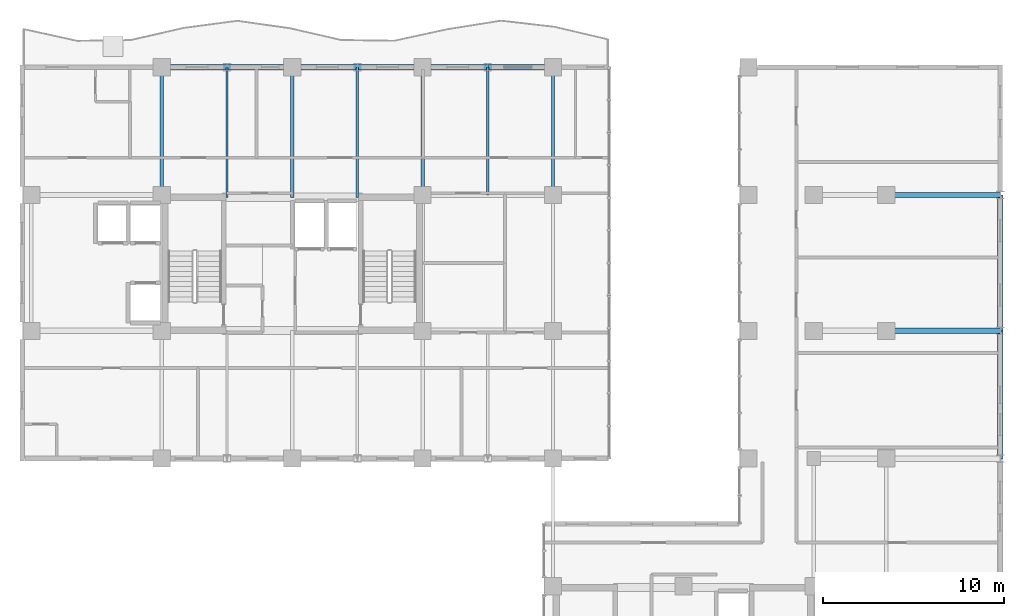
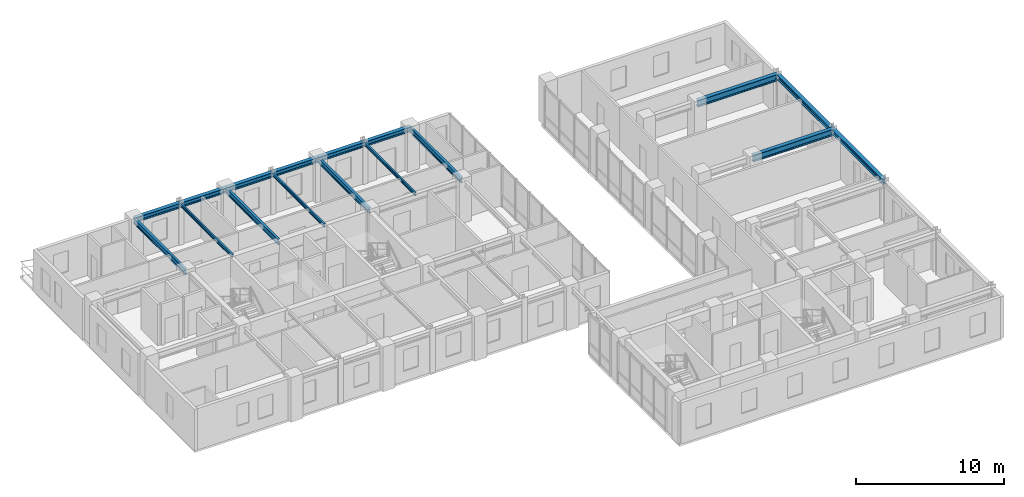
# One storey, part 13 of 24: 17 beams.
"""IFC4 building model written with IfcOpenShell, lengths in metres."""

from ifc_helpers import new_model, si_unit, direction, frame, origin, origin_2d, place, context, subcontext, project, spatial, i_section, extrude, source, transform, mapped, material, material_profile, profile_set, type_object, element, save


model = new_model("IFC4")

# Units and contexts
model_context = context("Model", 3, precision=1e-05, world=origin(), true_north=direction((0.0, 1.0)))
body_context = subcontext(model_context, "Body", "Model", "MODEL_VIEW")
ifc_project = project(units=[si_unit("LENGTHUNIT", "METRE"), si_unit("AREAUNIT", "SQUARE_METRE"), si_unit("VOLUMEUNIT", "CUBIC_METRE"), si_unit("PLANEANGLEUNIT", "RADIAN"), si_unit("MASSUNIT", "GRAM", prefix="KILO")], contexts=[model_context])

# Site, building, storey
site_placement = place(None, origin())
site = spatial("IfcSite", under=ifc_project, at=site_placement, CompositionType="ELEMENT")
building_placement = place(site_placement, origin())
building = spatial("IfcBuilding", under=site, at=building_placement, Name="Kaliganga Portal Commons", CompositionType="ELEMENT")
storey_placement = place(building_placement, frame((0.0, 0.0, 238.800048828125)))
storey = spatial("IfcBuildingStorey", under=building, at=storey_placement, Name="L61", CompositionType="ELEMENT", Elevation=238.800048828125)

# Beams
ifc_material = material(Name="Structural steel S355J2", Category="steel")
ifc_material_profile_1 = material_profile(ifc_material, i_section(OverallWidth=0.18994140625, OverallDepth=0.449951171875, WebThickness=0.009521484375, FlangeThickness=0.0146484375, FilletRadius=0.02099609375, at=origin_2d()), Name="IPE 450")
ifc_profile_set_1 = profile_set([ifc_material_profile_1], Name="Structural steel S355J2 wide-flange")
beam_type_1 = type_object("IfcBeamType", Name="BM-FLR-450", PredefinedType="BEAM", material=ifc_profile_set_1)
shared_shape_1 = source(origin(), body_context, "Body", "SweptSolid", [
    extrude(i_section(OverallWidth=0.18994140625, OverallDepth=0.449951171875, WebThickness=0.009521484375, FlangeThickness=0.0146484375, FilletRadius=0.02099609375, at=origin_2d()), origin(), (0.0, 0.0, 1.0), 7.050048828125),
])
for number, where, z_axis, x_axis, name in (
    (1, (14.39990234375, 36.14990234375, 3.21484375), (0.0, 1.0, 0.0), (-1.0, 0.0, 0.0), "BM G L61 AN144"),
    (2, (28.800048828125, 36.14990234375, 3.21484375), (0.0, 1.0, 0.0), (-1.0, 0.0, 0.0), "BM G L61 AN288"),
    (3, (36.0, 36.14990234375, 3.21484375), (0.0, 1.0, 0.0), (-1.0, 0.0, 0.0), "BM G L61 AN360"),
):
    element("IfcBeam", number, at=place(storey_placement, frame(where, z_axis=z_axis, x_axis=x_axis)), inside=storey, type_object=beam_type_1, Name=name, PredefinedType="BEAM", context=body_context, shape_type="MappedRepresentation", body=[
        mapped(shared_shape_1, transform((0.0, 0.0, 0.0), x_axis=(1.0, 0.0, 0.0), y_axis=(0.0, 1.0, 0.0), z_axis=(0.0, 0.0, 1.0), scale=1.0)),
    ])
ifc_material_profile_2 = material_profile(ifc_material, i_section(OverallWidth=0.300048828125, OverallDepth=0.39990234375, WebThickness=0.013427734375, FlangeThickness=0.02392578125, FilletRadius=0.027099609375, at=origin_2d()), Name="HE 400 B")
ifc_profile_set_2 = profile_set([ifc_material_profile_2], Name="Structural steel S355J2 wide-flange")
beam_type_2 = type_object("IfcBeamType", Name="BM-SPAND-400", PredefinedType="SPANDREL", material=ifc_profile_set_2)
shared_shape_2 = source(origin(), body_context, "Body", "SweptSolid", [
    extrude(i_section(OverallWidth=0.300048828125, OverallDepth=0.39990234375, WebThickness=0.013427734375, FlangeThickness=0.02392578125, FilletRadius=0.027099609375, at=origin_2d()), origin(), (0.0, 0.0, 1.0), 3.60009765625),
])
for number, where, z_axis, x_axis, name in (
    (4, (14.39990234375, 43.199951171875, 3.239990234375), (1.0, 0.0, 0.0), (0.0, 1.0, 0.0), "BM SP L61 AN 1"),
    (5, (18.0, 43.199951171875, 3.239990234375), (1.0, 0.0, 0.0), (0.0, 1.0, 0.0), "BM SP L61 AN 2"),
    (6, (25.199951171875, 43.199951171875, 3.239990234375), (1.0, 0.0, 0.0), (0.0, 1.0, 0.0), "BM SP L61 AN 4"),
    (7, (32.39990234375, 43.199951171875, 3.239990234375), (1.0, 0.0, 0.0), (0.0, 1.0, 0.0), "BM SP L61 AN 6"),
):
    element("IfcBeam", number, at=place(storey_placement, frame(where, z_axis=z_axis, x_axis=x_axis)), inside=storey, type_object=beam_type_2, Name=name, PredefinedType="SPANDREL", context=body_context, shape_type="MappedRepresentation", body=[
        mapped(shared_shape_2, transform((0.0, 0.0, 0.0), x_axis=(1.0, 0.0, 0.0), y_axis=(0.0, 1.0, 0.0), z_axis=(0.0, 0.0, 1.0), scale=1.0)),
    ])
shared_shape_3 = source(origin(), body_context, "Body", "SweptSolid", [
    extrude(i_section(OverallWidth=0.300048828125, OverallDepth=0.39990234375, WebThickness=0.013427734375, FlangeThickness=0.02392578125, FilletRadius=0.027099609375, at=origin_2d()), origin(), (0.0, 0.0, 1.0), 3.599853515625),
])
for number, where, z_axis, x_axis, name in (
    (8, (21.60009765625, 43.199951171875, 3.239990234375), (1.0, 0.0, 0.0), (0.0, 1.0, 0.0), "BM SP L61 AN 3"),
    (9, (28.800048828125, 43.199951171875, 3.239990234375), (1.0, 0.0, 0.0), (0.0, 1.0, 0.0), "BM SP L61 AN 5"),
):
    element("IfcBeam", number, at=place(storey_placement, frame(where, z_axis=z_axis, x_axis=x_axis)), inside=storey, type_object=beam_type_2, Name=name, PredefinedType="SPANDREL", context=body_context, shape_type="MappedRepresentation", body=[
        mapped(shared_shape_3, transform((0.0, 0.0, 0.0), x_axis=(1.0, 0.0, 0.0), y_axis=(0.0, 1.0, 0.0), z_axis=(0.0, 0.0, 1.0), scale=1.0)),
    ])
shared_shape_4 = source(origin(), body_context, "Body", "SweptSolid", [
    extrude(i_section(OverallWidth=0.18994140625, OverallDepth=0.449951171875, WebThickness=0.009521484375, FlangeThickness=0.0146484375, FilletRadius=0.02099609375, at=origin_2d()), origin(), (0.0, 0.0, 1.0), 7.175048828125),
])
beam_1_placement = place(storey_placement, frame((21.60009765625, 36.02490234375, 3.21484375), z_axis=(0.0, 1.0, 0.0), x_axis=(-1.0, 0.0, 0.0)))
element("IfcBeam", 10, at=beam_1_placement, inside=storey, type_object=beam_type_1, Name="BM G L61 AN216", PredefinedType="BEAM", context=body_context, shape_type="MappedRepresentation", body=[
    mapped(shared_shape_4, transform((0.0, 0.0, 0.0), x_axis=(1.0, 0.0, 0.0), y_axis=(0.0, 1.0, 0.0), z_axis=(0.0, 0.0, 1.0), scale=1.0)),
])
ifc_material_profile_3 = material_profile(ifc_material, i_section(OverallWidth=0.300048828125, OverallDepth=0.550048828125, WebThickness=0.014892578125, FlangeThickness=0.029052734375, FilletRadius=0.027099609375, at=origin_2d()), Name="HE 550 B")
ifc_profile_set_3 = profile_set([ifc_material_profile_3], Name="Structural steel S355J2 wide-flange")
beam_type_3 = type_object("IfcBeamType", Name="BM-GIRD-550", PredefinedType="USERDEFINED", material=ifc_profile_set_3)
shared_shape_5 = source(origin(), body_context, "Body", "SweptSolid", [
    extrude(i_section(OverallWidth=0.300048828125, OverallDepth=0.550048828125, WebThickness=0.014892578125, FlangeThickness=0.029052734375, FilletRadius=0.027099609375, at=origin_2d()), origin(), (0.0, 0.0, 1.0), 6.300048828125),
])
for number, where, z_axis, x_axis, name in (
    (11, (54.39990234375, 28.64990234375, 3.1650390625), (1.0, 0.0, 0.0), (0.0, 1.0, 0.0), "BM G L61 BKE286 2"),
    (12, (54.39990234375, 36.14990234375, 3.1650390625), (1.0, 0.0, 0.0), (0.0, 1.0, 0.0), "BM G L61 BKE362 2"),
):
    element("IfcBeam", number, at=place(storey_placement, frame(where, z_axis=z_axis, x_axis=x_axis)), inside=storey, type_object=beam_type_3, Name=name, ObjectType="GIRDER", PredefinedType="USERDEFINED", context=body_context, shape_type="MappedRepresentation", body=[
        mapped(shared_shape_5, transform((0.0, 0.0, 0.0), x_axis=(1.0, 0.0, 0.0), y_axis=(0.0, 1.0, 0.0), z_axis=(0.0, 0.0, 1.0), scale=1.0)),
    ])
shared_shape_6 = source(origin(), body_context, "Body", "SweptSolid", [
    extrude(i_section(OverallWidth=0.300048828125, OverallDepth=0.39990234375, WebThickness=0.013427734375, FlangeThickness=0.02392578125, FilletRadius=0.027099609375, at=origin_2d()), origin(), (0.0, 0.0, 1.0), 7.5),
])
beam_2_placement = place(storey_placement, frame((60.699951171875, 28.64990234375, 3.239990234375), z_axis=(0.0, 1.0, 0.0), x_axis=(-1.0, 0.0, 0.0)))
element("IfcBeam", 13, at=beam_2_placement, inside=storey, type_object=beam_type_2, Name="BM SP L61 BE 4", PredefinedType="SPANDREL", context=body_context, shape_type="MappedRepresentation", body=[
    mapped(shared_shape_6, transform((0.0, 0.0, 0.0), x_axis=(1.0, 0.0, 0.0), y_axis=(0.0, 1.0, 0.0), z_axis=(0.0, 0.0, 1.0), scale=1.0)),
])
shared_shape_7 = source(origin(), body_context, "Body", "SweptSolid", [
    extrude(i_section(OverallWidth=0.300048828125, OverallDepth=0.39990234375, WebThickness=0.013427734375, FlangeThickness=0.02392578125, FilletRadius=0.027099609375, at=origin_2d()), origin(), (0.0, 0.0, 1.0), 7.0498046875),
])
beam_3_placement = place(storey_placement, frame((60.699951171875, 21.60009765625, 3.239990234375), z_axis=(0.0, 1.0, 0.0), x_axis=(-1.0, 0.0, 0.0)))
element("IfcBeam", 14, at=beam_3_placement, inside=storey, type_object=beam_type_2, Name="BM SP L61 BE 3", PredefinedType="SPANDREL", context=body_context, shape_type="MappedRepresentation", body=[
    mapped(shared_shape_7, transform((0.0, 0.0, 0.0), x_axis=(1.0, 0.0, 0.0), y_axis=(0.0, 1.0, 0.0), z_axis=(0.0, 0.0, 1.0), scale=1.0)),
])
ifc_material_profile_4 = material_profile(ifc_material, i_section(OverallWidth=0.135009765625, OverallDepth=0.27001953125, WebThickness=0.006591796875, FlangeThickness=0.01025390625, FilletRadius=0.014892578125, at=origin_2d()), Name="IPE 270")
ifc_profile_set_4 = profile_set([ifc_material_profile_4], Name="Structural steel S355J2 wide-flange")
beam_type_4 = type_object("IfcBeamType", Name="BM-JST-270", PredefinedType="JOIST", material=ifc_profile_set_4)
shared_shape_8 = source(origin(), body_context, "Body", "SweptSolid", [
    extrude(i_section(OverallWidth=0.135009765625, OverallDepth=0.27001953125, WebThickness=0.006591796875, FlangeThickness=0.01025390625, FilletRadius=0.014892578125, at=origin_2d()), origin(), (0.0, 0.0, 1.0), 7.175048828125),
])
for number, where, z_axis, x_axis, name in (
    (15, (18.0, 36.02490234375, 3.304931640625), (0.0, 1.0, 0.0), (-1.0, 0.0, 0.0), "BM G L61 AN180"),
    (16, (25.199951171875, 36.02490234375, 3.304931640625), (0.0, 1.0, 0.0), (-1.0, 0.0, 0.0), "BM G L61 AN252"),
):
    element("IfcBeam", number, at=place(storey_placement, frame(where, z_axis=z_axis, x_axis=x_axis)), inside=storey, type_object=beam_type_4, Name=name, PredefinedType="JOIST", context=body_context, shape_type="MappedRepresentation", body=[
        mapped(shared_shape_8, transform((0.0, 0.0, 0.0), x_axis=(1.0, 0.0, 0.0), y_axis=(0.0, 1.0, 0.0), z_axis=(0.0, 0.0, 1.0), scale=1.0)),
    ])
shared_shape_9 = source(origin(), body_context, "Body", "SweptSolid", [
    extrude(i_section(OverallWidth=0.135009765625, OverallDepth=0.27001953125, WebThickness=0.006591796875, FlangeThickness=0.01025390625, FilletRadius=0.014892578125, at=origin_2d()), origin(), (0.0, 0.0, 1.0), 7.050048828125),
])
beam_4_placement = place(storey_placement, frame((32.39990234375, 36.14990234375, 3.304931640625), z_axis=(0.0, 1.0, 0.0), x_axis=(-1.0, 0.0, 0.0)))
element("IfcBeam", 17, at=beam_4_placement, inside=storey, type_object=beam_type_4, Name="BM G L61 AN324", PredefinedType="JOIST", context=body_context, shape_type="MappedRepresentation", body=[
    mapped(shared_shape_9, transform((0.0, 0.0, 0.0), x_axis=(1.0, 0.0, 0.0), y_axis=(0.0, 1.0, 0.0), z_axis=(0.0, 0.0, 1.0), scale=1.0)),
])

save(model, "model.ifc")
